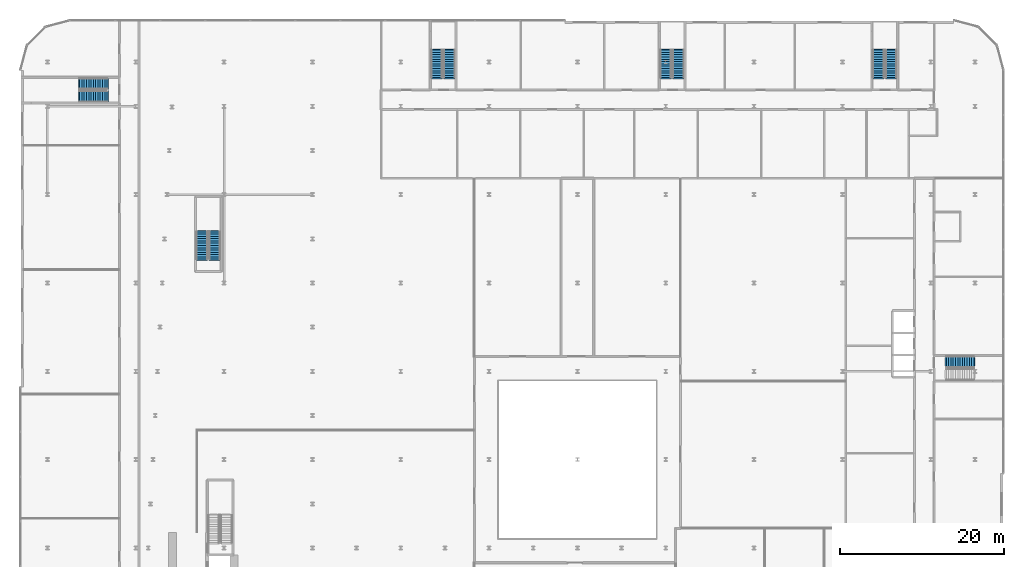
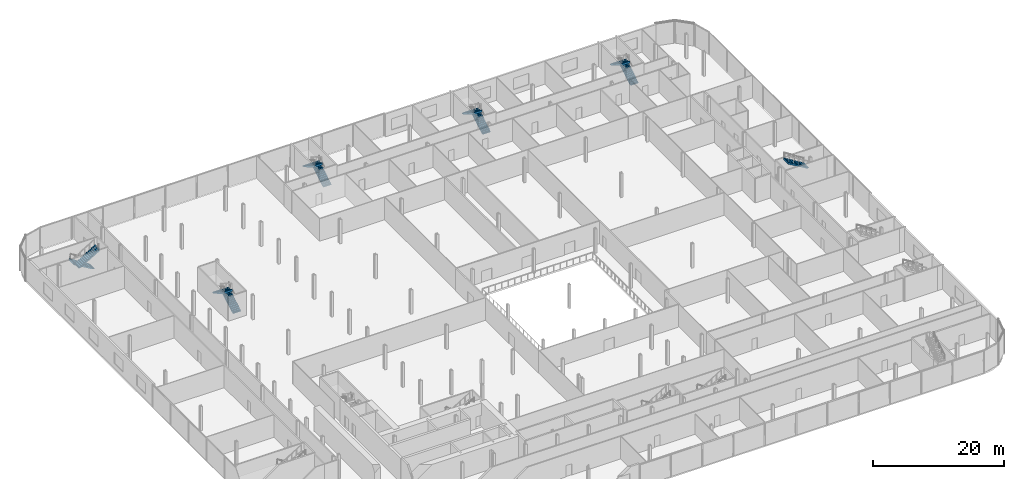
# One storey, part 38 of 47: 11 stair flights, 6 elements without a shape of their own.
"""IFC4 building model written with IfcOpenShell, lengths in metres."""

from ifc_helpers import new_model, si_unit, direction, frame, origin, place, context, subcontext, project, spatial, polyline, outline, extrude, material, layer, layer_set, type_object, element, aggregate, save


model = new_model("IFC4")

# Units and contexts
model_context = context("Model", 3, precision=1e-05, world=origin(), true_north=direction((0.0, 1.0)))
body_context = subcontext(model_context, "Body", "Model", "MODEL_VIEW")
ifc_project = project(units=[si_unit("LENGTHUNIT", "METRE"), si_unit("AREAUNIT", "SQUARE_METRE"), si_unit("VOLUMEUNIT", "CUBIC_METRE"), si_unit("PLANEANGLEUNIT", "RADIAN"), si_unit("MASSUNIT", "GRAM", prefix="KILO")], contexts=[model_context])

# Site, building, storey
site_placement = place(None, origin())
site = spatial("IfcSite", under=ifc_project, at=site_placement, CompositionType="ELEMENT")
building_placement = place(site_placement, origin())
building = spatial("IfcBuilding", under=site, at=building_placement, Name="Kheshtan School and Residences Tower", CompositionType="ELEMENT")
storey_placement = place(building_placement, frame((0.0, 0.0, 21.5)))
storey = spatial("IfcBuildingStorey", under=building, at=storey_placement, Name="L04", CompositionType="ELEMENT", Elevation=21.5)

# Stair, stair flights
ifc_material = material(Name="Concrete C40/50", Category="concrete")
stair_type = type_object("IfcStairType", Name="Exit stair, half-turn", PredefinedType="HALF_TURN_STAIR", material=ifc_material)
stair_1_placement = place(storey_placement, origin())
stair_1 = element("IfcStair", 1, at=stair_1_placement, inside=storey, type_object=stair_type, Name="L04 Protected Exit Stair ST3", PredefinedType="HALF_TURN_STAIR")
ifc_layer = layer(ifc_material, 0.14990234375)
ifc_layer_set = layer_set([ifc_layer], Name="Stair flight 1400 Concrete C40/50")
stair_flight_type = type_object("IfcStairFlightType", Name="Stair flight 1400 Concrete C40/50", PredefinedType="STRAIGHT", material=ifc_layer_set)
stair_flight_1_placement = place(storey_placement, frame((35.64990234375, 80.89990234375, 0.0), z_axis=(0.0, 0.0, 1.0), x_axis=(0.0, 1.0, 0.0)))
stair_flight_1 = element("IfcStairFlight", 2, at=stair_flight_1_placement, type_object=stair_flight_type, Name="ST3 flight 1", NumberOfRisers=13, NumberOfTreads=12, PredefinedType="STRAIGHT", RiserHeight=0.173076923, TreadLength=0.28, context=body_context, shape_type="SweptSolid", body=[
    extrude(outline(polyline([(-0.14990234375, -0.10009765625), (-0.14990234375, 0.0), (0.0, 0.0), (0.0, 0.173095703125), (0.280029296875, 0.173095703125), (0.280029296875, 0.34619140625), (0.56005859375, 0.34619140625), (0.56005859375, 0.519287109375), (0.840087890625, 0.519287109375), (0.840087890625, 0.6923828125), (1.1201171875, 0.6923828125), (1.1201171875, 0.865478515625), (1.39990234375, 0.865478515625), (1.39990234375, 1.03857421875), (1.679931640625, 1.03857421875), (1.679931640625, 1.21142578125), (1.9599609375, 1.21142578125), (1.9599609375, 1.384521484375), (2.239990234375, 1.384521484375), (2.239990234375, 1.5576171875), (2.52001953125, 1.5576171875), (2.52001953125, 1.730712890625), (2.800048828125, 1.730712890625), (2.800048828125, 1.90380859375), (3.080078125, 1.90380859375), (3.080078125, 2.076904296875), (3.360107421875, 2.076904296875), (3.360107421875, 2.25), (3.360107421875, 2.27001953125), (3.510009765625, 2.27001953125), (3.510009765625, 1.900634765625), (0.28515625, 0.0), (-0.14990234375, -0.10009765625)])), frame((0.0, 0.699951171875, 0.0), z_axis=(0.0, -1.0, 0.0), x_axis=(1.0, 0.0, 0.0)), (0.0, 0.0, 1.0), 1.39990234375),
])
stair_flight_2_placement = place(storey_placement, frame((34.10009765625, 84.260009765625, 2.25), z_axis=(0.0, 0.0, 1.0), x_axis=(0.0, -1.0, 0.0)))
stair_flight_2 = element("IfcStairFlight", 3, at=stair_flight_2_placement, type_object=stair_flight_type, Name="ST3 flight 2", NumberOfRisers=13, NumberOfTreads=12, PredefinedType="STRAIGHT", RiserHeight=0.173076923, TreadLength=0.28, context=body_context, shape_type="SweptSolid", body=[
    extrude(outline(polyline([(-0.14990234375, -0.10009765625), (-0.14990234375, 0.0), (0.0, 0.0), (0.0, 0.173095703125), (0.280029296875, 0.173095703125), (0.280029296875, 0.34619140625), (0.56005859375, 0.34619140625), (0.56005859375, 0.519287109375), (0.840087890625, 0.519287109375), (0.840087890625, 0.6923828125), (1.1201171875, 0.6923828125), (1.1201171875, 0.865478515625), (1.39990234375, 0.865478515625), (1.39990234375, 1.03857421875), (1.679931640625, 1.03857421875), (1.679931640625, 1.21142578125), (1.9599609375, 1.21142578125), (1.9599609375, 1.384521484375), (2.239990234375, 1.384521484375), (2.239990234375, 1.5576171875), (2.52001953125, 1.5576171875), (2.52001953125, 1.730712890625), (2.800048828125, 1.730712890625), (2.800048828125, 1.90380859375), (3.080078125, 1.90380859375), (3.080078125, 2.076904296875), (3.360107421875, 2.076904296875), (3.360107421875, 2.25), (3.360107421875, 2.27001953125), (3.510009765625, 2.27001953125), (3.510009765625, 1.900634765625), (0.28515625, 0.0), (-0.14990234375, -0.10009765625)])), frame((0.0, 0.699951171875, 0.0), z_axis=(0.0, -1.0, 0.0), x_axis=(1.0, 0.0, 0.0)), (0.0, 0.0, 1.0), 1.39990234375),
])
aggregate(stair_1, [stair_flight_1, stair_flight_2])

stair_2_placement = place(storey_placement, origin())
stair_2 = element("IfcStair", 4, at=stair_2_placement, inside=storey, type_object=stair_type, Name="L04 Civic Exit Stair 012-100", PredefinedType="HALF_TURN_STAIR")
stair_flight_3_placement = place(storey_placement, frame((22.5, 102.35009765625, 0.0), z_axis=(0.0, 0.0, 1.0), x_axis=(-1.0, 0.0, 0.0)))
stair_flight_3 = element("IfcStairFlight", 5, at=stair_flight_3_placement, type_object=stair_flight_type, Name="PS-012-100 flight 1", NumberOfRisers=13, NumberOfTreads=12, PredefinedType="STRAIGHT", RiserHeight=0.173076923, TreadLength=0.28, context=body_context, shape_type="SweptSolid", body=[
    extrude(outline(polyline([(-0.14990234375, -0.10009765625), (-0.14990234375, 0.0), (0.0, 0.0), (0.0, 0.173095703125), (0.280029296875, 0.173095703125), (0.280029296875, 0.34619140625), (0.56005859375, 0.34619140625), (0.56005859375, 0.519287109375), (0.840087890625, 0.519287109375), (0.840087890625, 0.6923828125), (1.1201171875, 0.6923828125), (1.1201171875, 0.865478515625), (1.39990234375, 0.865478515625), (1.39990234375, 1.03857421875), (1.679931640625, 1.03857421875), (1.679931640625, 1.21142578125), (1.9599609375, 1.21142578125), (1.9599609375, 1.384521484375), (2.239990234375, 1.384521484375), (2.239990234375, 1.5576171875), (2.52001953125, 1.5576171875), (2.52001953125, 1.730712890625), (2.800048828125, 1.730712890625), (2.800048828125, 1.90380859375), (3.080078125, 1.90380859375), (3.080078125, 2.076904296875), (3.360107421875, 2.076904296875), (3.360107421875, 2.25), (3.360107421875, 2.27001953125), (3.510009765625, 2.27001953125), (3.510009765625, 1.900634765625), (0.28515625, 0.0), (-0.14990234375, -0.10009765625)])), frame((0.0, 0.699951171875, 0.0), z_axis=(0.0, -1.0, 0.0), x_axis=(1.0, 0.0, 0.0)), (0.0, 0.0, 1.0), 1.39990234375),
])
stair_flight_4_placement = place(storey_placement, frame((19.139892578125, 100.800048828125, 2.25), z_axis=(0.0, 0.0, 1.0), x_axis=(1.0, 0.0, 0.0)))
stair_flight_4 = element("IfcStairFlight", 6, at=stair_flight_4_placement, type_object=stair_flight_type, Name="PS-012-100 flight 2", NumberOfRisers=13, NumberOfTreads=12, PredefinedType="STRAIGHT", RiserHeight=0.173076923, TreadLength=0.28, context=body_context, shape_type="SweptSolid", body=[
    extrude(outline(polyline([(-0.14990234375, -0.10009765625), (-0.14990234375, 0.0), (0.0, 0.0), (0.0, 0.173095703125), (0.280029296875, 0.173095703125), (0.280029296875, 0.34619140625), (0.56005859375, 0.34619140625), (0.56005859375, 0.519287109375), (0.840087890625, 0.519287109375), (0.840087890625, 0.6923828125), (1.1201171875, 0.6923828125), (1.1201171875, 0.865478515625), (1.39990234375, 0.865478515625), (1.39990234375, 1.03857421875), (1.679931640625, 1.03857421875), (1.679931640625, 1.21142578125), (1.9599609375, 1.21142578125), (1.9599609375, 1.384521484375), (2.239990234375, 1.384521484375), (2.239990234375, 1.5576171875), (2.52001953125, 1.5576171875), (2.52001953125, 1.730712890625), (2.800048828125, 1.730712890625), (2.800048828125, 1.90380859375), (3.080078125, 1.90380859375), (3.080078125, 2.076904296875), (3.360107421875, 2.076904296875), (3.360107421875, 2.25), (3.360107421875, 2.27001953125), (3.510009765625, 2.27001953125), (3.510009765625, 1.900634765625), (0.28515625, 0.0), (-0.14990234375, -0.10009765625)])), frame((0.0, 0.699951171875, 0.0), z_axis=(0.0, -1.0, 0.0), x_axis=(1.0, 0.0, 0.0)), (0.0, 0.0, 1.0), 1.39990234375),
])
aggregate(stair_2, [stair_flight_3, stair_flight_4])

stair_3_placement = place(storey_placement, origin())
stair_3 = element("IfcStair", 7, at=stair_3_placement, inside=storey, type_object=stair_type, Name="L04 School Exit Stair 062-102", PredefinedType="HALF_TURN_STAIR")
stair_flight_5_placement = place(storey_placement, frame((64.35009765625, 103.10009765625, 0.0), z_axis=(0.0, 0.0, 1.0), x_axis=(0.0, 1.0, 0.0)))
stair_flight_5 = element("IfcStairFlight", 8, at=stair_flight_5_placement, type_object=stair_flight_type, Name="PS-062-102 flight 1", NumberOfRisers=13, NumberOfTreads=12, PredefinedType="STRAIGHT", RiserHeight=0.173076923, TreadLength=0.28, context=body_context, shape_type="SweptSolid", body=[
    extrude(outline(polyline([(-0.14990234375, -0.10009765625), (-0.14990234375, 0.0), (0.0, 0.0), (0.0, 0.173095703125), (0.280029296875, 0.173095703125), (0.280029296875, 0.34619140625), (0.56005859375, 0.34619140625), (0.56005859375, 0.519287109375), (0.840087890625, 0.519287109375), (0.840087890625, 0.6923828125), (1.1201171875, 0.6923828125), (1.1201171875, 0.865478515625), (1.39990234375, 0.865478515625), (1.39990234375, 1.03857421875), (1.679931640625, 1.03857421875), (1.679931640625, 1.21142578125), (1.9599609375, 1.21142578125), (1.9599609375, 1.384521484375), (2.239990234375, 1.384521484375), (2.239990234375, 1.5576171875), (2.52001953125, 1.5576171875), (2.52001953125, 1.730712890625), (2.800048828125, 1.730712890625), (2.800048828125, 1.90380859375), (3.080078125, 1.90380859375), (3.080078125, 2.076904296875), (3.360107421875, 2.076904296875), (3.360107421875, 2.25), (3.360107421875, 2.27001953125), (3.510009765625, 2.27001953125), (3.510009765625, 1.900634765625), (0.28515625, 0.0), (-0.14990234375, -0.10009765625)])), frame((0.0, 0.699951171875, 0.0), z_axis=(0.0, -1.0, 0.0), x_axis=(1.0, 0.0, 0.0)), (0.0, 0.0, 1.0), 1.39990234375),
])
stair_flight_6_placement = place(storey_placement, frame((62.800048828125, 106.4599609375, 2.25), z_axis=(0.0, 0.0, 1.0), x_axis=(0.0, -1.0, 0.0)))
stair_flight_6 = element("IfcStairFlight", 9, at=stair_flight_6_placement, type_object=stair_flight_type, Name="PS-062-102 flight 2", NumberOfRisers=13, NumberOfTreads=12, PredefinedType="STRAIGHT", RiserHeight=0.173076923, TreadLength=0.28, context=body_context, shape_type="SweptSolid", body=[
    extrude(outline(polyline([(-0.14990234375, -0.10009765625), (-0.14990234375, 0.0), (0.0, 0.0), (0.0, 0.173095703125), (0.280029296875, 0.173095703125), (0.280029296875, 0.34619140625), (0.56005859375, 0.34619140625), (0.56005859375, 0.519287109375), (0.840087890625, 0.519287109375), (0.840087890625, 0.6923828125), (1.1201171875, 0.6923828125), (1.1201171875, 0.865478515625), (1.39990234375, 0.865478515625), (1.39990234375, 1.03857421875), (1.679931640625, 1.03857421875), (1.679931640625, 1.21142578125), (1.9599609375, 1.21142578125), (1.9599609375, 1.384521484375), (2.239990234375, 1.384521484375), (2.239990234375, 1.5576171875), (2.52001953125, 1.5576171875), (2.52001953125, 1.730712890625), (2.800048828125, 1.730712890625), (2.800048828125, 1.90380859375), (3.080078125, 1.90380859375), (3.080078125, 2.076904296875), (3.360107421875, 2.076904296875), (3.360107421875, 2.25), (3.360107421875, 2.27001953125), (3.510009765625, 2.27001953125), (3.510009765625, 1.900634765625), (0.28515625, 0.0), (-0.14990234375, -0.10009765625)])), frame((0.0, 0.699951171875, 0.0), z_axis=(0.0, -1.0, 0.0), x_axis=(1.0, 0.0, 0.0)), (0.0, 0.0, 1.0), 1.39990234375),
])
aggregate(stair_3, [stair_flight_5, stair_flight_6])

stair_4_placement = place(storey_placement, origin())
stair_4 = element("IfcStair", 10, at=stair_4_placement, inside=storey, type_object=stair_type, Name="L04 School Exit Stair 090-102", PredefinedType="HALF_TURN_STAIR")
stair_flight_7_placement = place(storey_placement, frame((92.35009765625, 103.10009765625, 0.0), z_axis=(0.0, 0.0, 1.0), x_axis=(0.0, 1.0, 0.0)))
stair_flight_7 = element("IfcStairFlight", 11, at=stair_flight_7_placement, type_object=stair_flight_type, Name="PS-090-102 flight 1", NumberOfRisers=13, NumberOfTreads=12, PredefinedType="STRAIGHT", RiserHeight=0.173076923, TreadLength=0.28, context=body_context, shape_type="SweptSolid", body=[
    extrude(outline(polyline([(-0.14990234375, -0.10009765625), (-0.14990234375, 0.0), (0.0, 0.0), (0.0, 0.173095703125), (0.280029296875, 0.173095703125), (0.280029296875, 0.34619140625), (0.56005859375, 0.34619140625), (0.56005859375, 0.519287109375), (0.840087890625, 0.519287109375), (0.840087890625, 0.6923828125), (1.1201171875, 0.6923828125), (1.1201171875, 0.865478515625), (1.39990234375, 0.865478515625), (1.39990234375, 1.03857421875), (1.679931640625, 1.03857421875), (1.679931640625, 1.21142578125), (1.9599609375, 1.21142578125), (1.9599609375, 1.384521484375), (2.239990234375, 1.384521484375), (2.239990234375, 1.5576171875), (2.52001953125, 1.5576171875), (2.52001953125, 1.730712890625), (2.800048828125, 1.730712890625), (2.800048828125, 1.90380859375), (3.080078125, 1.90380859375), (3.080078125, 2.076904296875), (3.360107421875, 2.076904296875), (3.360107421875, 2.25), (3.360107421875, 2.27001953125), (3.510009765625, 2.27001953125), (3.510009765625, 1.900634765625), (0.28515625, 0.0), (-0.14990234375, -0.10009765625)])), frame((0.0, 0.699951171875, 0.0), z_axis=(0.0, -1.0, 0.0), x_axis=(1.0, 0.0, 0.0)), (0.0, 0.0, 1.0), 1.39990234375),
])
stair_flight_8_placement = place(storey_placement, frame((90.800048828125, 106.4599609375, 2.25), z_axis=(0.0, 0.0, 1.0), x_axis=(0.0, -1.0, 0.0)))
stair_flight_8 = element("IfcStairFlight", 12, at=stair_flight_8_placement, type_object=stair_flight_type, Name="PS-090-102 flight 2", NumberOfRisers=13, NumberOfTreads=12, PredefinedType="STRAIGHT", RiserHeight=0.173076923, TreadLength=0.28, context=body_context, shape_type="SweptSolid", body=[
    extrude(outline(polyline([(-0.14990234375, -0.10009765625), (-0.14990234375, 0.0), (0.0, 0.0), (0.0, 0.173095703125), (0.280029296875, 0.173095703125), (0.280029296875, 0.34619140625), (0.56005859375, 0.34619140625), (0.56005859375, 0.519287109375), (0.840087890625, 0.519287109375), (0.840087890625, 0.6923828125), (1.1201171875, 0.6923828125), (1.1201171875, 0.865478515625), (1.39990234375, 0.865478515625), (1.39990234375, 1.03857421875), (1.679931640625, 1.03857421875), (1.679931640625, 1.21142578125), (1.9599609375, 1.21142578125), (1.9599609375, 1.384521484375), (2.239990234375, 1.384521484375), (2.239990234375, 1.5576171875), (2.52001953125, 1.5576171875), (2.52001953125, 1.730712890625), (2.800048828125, 1.730712890625), (2.800048828125, 1.90380859375), (3.080078125, 1.90380859375), (3.080078125, 2.076904296875), (3.360107421875, 2.076904296875), (3.360107421875, 2.25), (3.360107421875, 2.27001953125), (3.510009765625, 2.27001953125), (3.510009765625, 1.900634765625), (0.28515625, 0.0), (-0.14990234375, -0.10009765625)])), frame((0.0, 0.699951171875, 0.0), z_axis=(0.0, -1.0, 0.0), x_axis=(1.0, 0.0, 0.0)), (0.0, 0.0, 1.0), 1.39990234375),
])
aggregate(stair_4, [stair_flight_7, stair_flight_8])

stair_5_placement = place(storey_placement, origin())
stair_5 = element("IfcStair", 13, at=stair_5_placement, inside=storey, type_object=stair_type, Name="L04 School Exit Stair 116-102", PredefinedType="HALF_TURN_STAIR")
stair_flight_9_placement = place(storey_placement, frame((118.35009765625, 103.10009765625, 0.0), z_axis=(0.0, 0.0, 1.0), x_axis=(0.0, 1.0, 0.0)))
stair_flight_9 = element("IfcStairFlight", 14, at=stair_flight_9_placement, type_object=stair_flight_type, Name="PS-116-102 flight 1", NumberOfRisers=13, NumberOfTreads=12, PredefinedType="STRAIGHT", RiserHeight=0.173076923, TreadLength=0.28, context=body_context, shape_type="SweptSolid", body=[
    extrude(outline(polyline([(-0.14990234375, -0.10009765625), (-0.14990234375, 0.0), (0.0, 0.0), (0.0, 0.173095703125), (0.280029296875, 0.173095703125), (0.280029296875, 0.34619140625), (0.56005859375, 0.34619140625), (0.56005859375, 0.519287109375), (0.840087890625, 0.519287109375), (0.840087890625, 0.6923828125), (1.1201171875, 0.6923828125), (1.1201171875, 0.865478515625), (1.39990234375, 0.865478515625), (1.39990234375, 1.03857421875), (1.679931640625, 1.03857421875), (1.679931640625, 1.21142578125), (1.9599609375, 1.21142578125), (1.9599609375, 1.384521484375), (2.239990234375, 1.384521484375), (2.239990234375, 1.5576171875), (2.52001953125, 1.5576171875), (2.52001953125, 1.730712890625), (2.800048828125, 1.730712890625), (2.800048828125, 1.90380859375), (3.080078125, 1.90380859375), (3.080078125, 2.076904296875), (3.360107421875, 2.076904296875), (3.360107421875, 2.25), (3.360107421875, 2.27001953125), (3.510009765625, 2.27001953125), (3.510009765625, 1.900634765625), (0.28515625, 0.0), (-0.14990234375, -0.10009765625)])), frame((0.0, 0.699951171875, 0.0), z_axis=(0.0, -1.0, 0.0), x_axis=(1.0, 0.0, 0.0)), (0.0, 0.0, 1.0), 1.39990234375),
])
stair_flight_10_placement = place(storey_placement, frame((116.800048828125, 106.4599609375, 2.25), z_axis=(0.0, 0.0, 1.0), x_axis=(0.0, -1.0, 0.0)))
stair_flight_10 = element("IfcStairFlight", 15, at=stair_flight_10_placement, type_object=stair_flight_type, Name="PS-116-102 flight 2", NumberOfRisers=13, NumberOfTreads=12, PredefinedType="STRAIGHT", RiserHeight=0.173076923, TreadLength=0.28, context=body_context, shape_type="SweptSolid", body=[
    extrude(outline(polyline([(-0.14990234375, -0.10009765625), (-0.14990234375, 0.0), (0.0, 0.0), (0.0, 0.173095703125), (0.280029296875, 0.173095703125), (0.280029296875, 0.34619140625), (0.56005859375, 0.34619140625), (0.56005859375, 0.519287109375), (0.840087890625, 0.519287109375), (0.840087890625, 0.6923828125), (1.1201171875, 0.6923828125), (1.1201171875, 0.865478515625), (1.39990234375, 0.865478515625), (1.39990234375, 1.03857421875), (1.679931640625, 1.03857421875), (1.679931640625, 1.21142578125), (1.9599609375, 1.21142578125), (1.9599609375, 1.384521484375), (2.239990234375, 1.384521484375), (2.239990234375, 1.5576171875), (2.52001953125, 1.5576171875), (2.52001953125, 1.730712890625), (2.800048828125, 1.730712890625), (2.800048828125, 1.90380859375), (3.080078125, 1.90380859375), (3.080078125, 2.076904296875), (3.360107421875, 2.076904296875), (3.360107421875, 2.25), (3.360107421875, 2.27001953125), (3.510009765625, 2.27001953125), (3.510009765625, 1.900634765625), (0.28515625, 0.0), (-0.14990234375, -0.10009765625)])), frame((0.0, 0.699951171875, 0.0), z_axis=(0.0, -1.0, 0.0), x_axis=(1.0, 0.0, 0.0)), (0.0, 0.0, 1.0), 1.39990234375),
])
aggregate(stair_5, [stair_flight_9, stair_flight_10])

# Stair, stair flight
stair_6_placement = place(storey_placement, origin())
stair_6 = element("IfcStair", 16, at=stair_6_placement, inside=storey, type_object=stair_type, Name="L04 School Exit Stair 124-066", PredefinedType="HALF_TURN_STAIR")
stair_flight_11_placement = place(storey_placement, frame((128.4599609375, 68.35009765625, 2.25), z_axis=(0.0, 0.0, 1.0), x_axis=(-1.0, 0.0, 0.0)))
stair_flight_11 = element("IfcStairFlight", 17, at=stair_flight_11_placement, type_object=stair_flight_type, Name="PS-124-066 flight 2", NumberOfRisers=13, NumberOfTreads=12, PredefinedType="STRAIGHT", RiserHeight=0.173076923, TreadLength=0.28, context=body_context, shape_type="SweptSolid", body=[
    extrude(outline(polyline([(-0.14990234375, -0.10009765625), (-0.14990234375, 0.0), (0.0, 0.0), (0.0, 0.173095703125), (0.280029296875, 0.173095703125), (0.280029296875, 0.34619140625), (0.56005859375, 0.34619140625), (0.56005859375, 0.519287109375), (0.840087890625, 0.519287109375), (0.840087890625, 0.6923828125), (1.1201171875, 0.6923828125), (1.1201171875, 0.865478515625), (1.39990234375, 0.865478515625), (1.39990234375, 1.03857421875), (1.679931640625, 1.03857421875), (1.679931640625, 1.21142578125), (1.9599609375, 1.21142578125), (1.9599609375, 1.384521484375), (2.239990234375, 1.384521484375), (2.239990234375, 1.5576171875), (2.52001953125, 1.5576171875), (2.52001953125, 1.730712890625), (2.800048828125, 1.730712890625), (2.800048828125, 1.90380859375), (3.080078125, 1.90380859375), (3.080078125, 2.076904296875), (3.360107421875, 2.076904296875), (3.360107421875, 2.25), (3.360107421875, 2.27001953125), (3.510009765625, 2.27001953125), (3.510009765625, 1.900634765625), (0.28515625, 0.0), (-0.14990234375, -0.10009765625)])), frame((0.0, 0.699951171875, 0.0), z_axis=(0.0, -1.0, 0.0), x_axis=(1.0, 0.0, 0.0)), (0.0, 0.0, 1.0), 1.39990234375),
])
aggregate(stair_6, [stair_flight_11])

save(model, "model.ifc")
